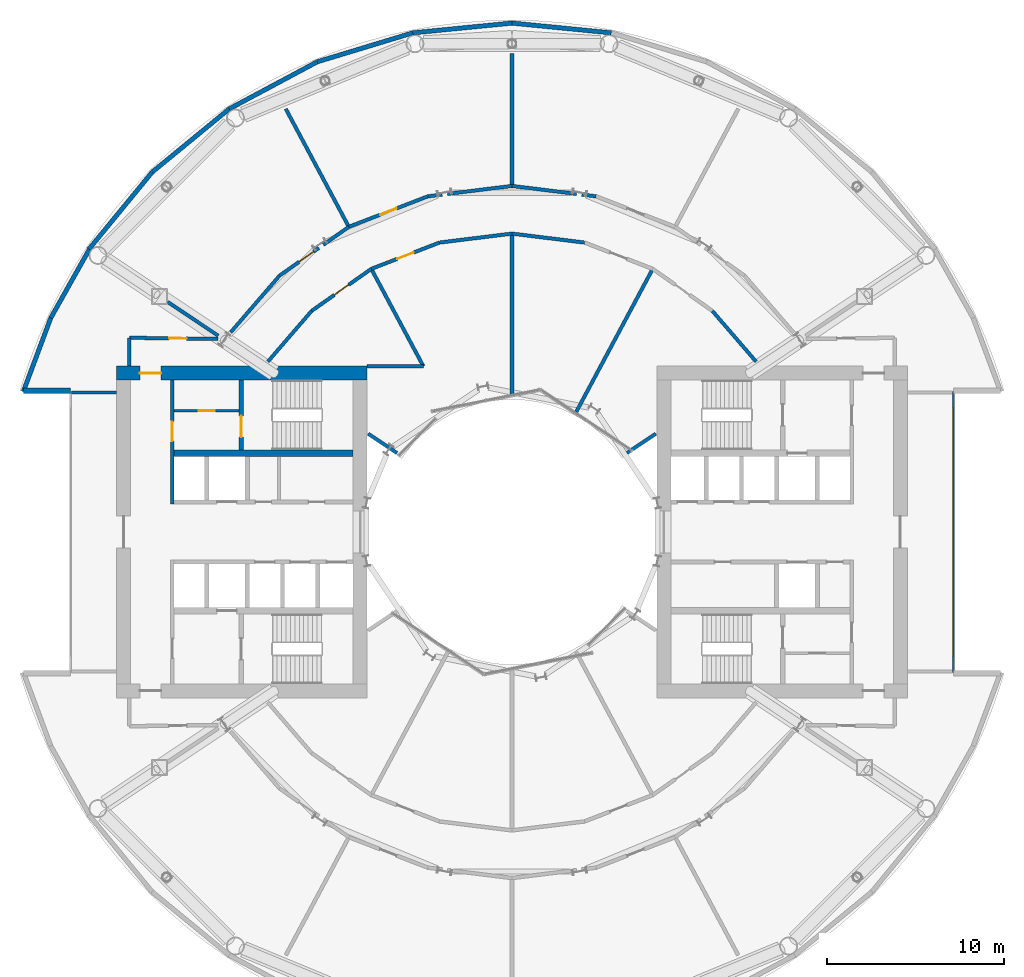
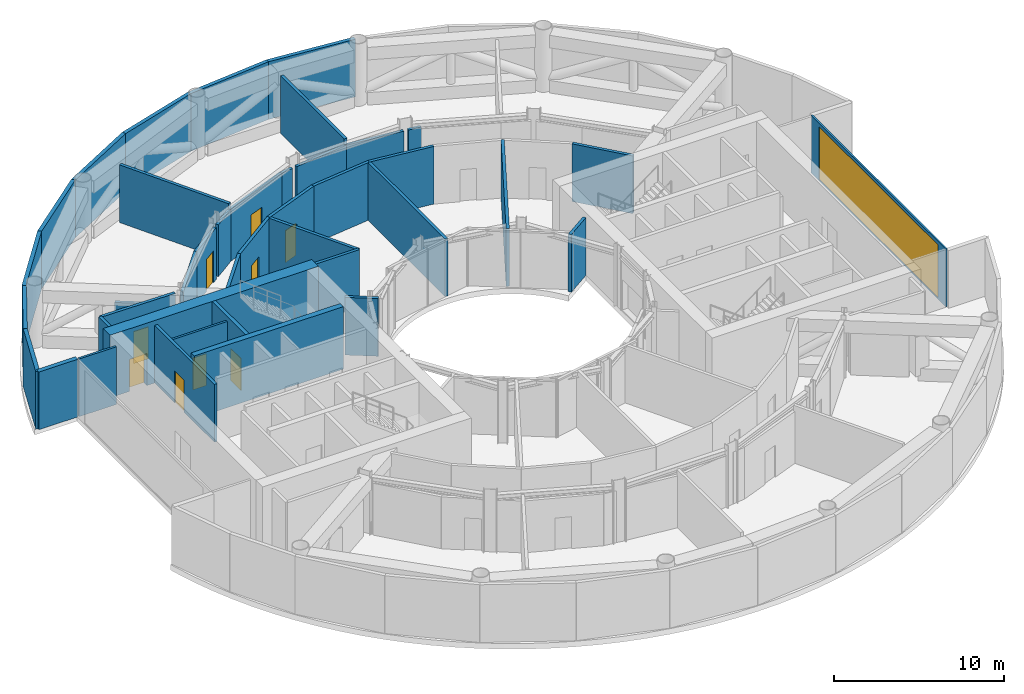
# One storey, part 12 of 15: 41 walls, 9 doors, 1 window, 10 openings.
"""IFC4 building model written with IfcOpenShell, lengths in metres."""

from ifc_helpers import new_model, si_unit, direction, frame, frame_2d, origin, place, context, subcontext, project, spatial, rectangle, extrude, material, layer, layer_set, type_object, element, fill, save


model = new_model("IFC4")

# Units and contexts
model_context = context("Model", 3, precision=1e-05, world=origin(), true_north=direction((0.0, 1.0)))
body_context = subcontext(model_context, "Body", "Model", "MODEL_VIEW")
ifc_project = project(units=[si_unit("LENGTHUNIT", "METRE"), si_unit("AREAUNIT", "SQUARE_METRE"), si_unit("VOLUMEUNIT", "CUBIC_METRE"), si_unit("PLANEANGLEUNIT", "RADIAN"), si_unit("MASSUNIT", "GRAM", prefix="KILO")], contexts=[model_context])

# Site, building, storey
site_placement = place(None, origin())
site = spatial("IfcSite", under=ifc_project, at=site_placement, CompositionType="ELEMENT")
building_placement = place(site_placement, origin())
building = spatial("IfcBuilding", under=site, at=building_placement, Name="Maasbend Ring Residences", CompositionType="ELEMENT")
storey_placement = place(building_placement, frame((0.0, 0.0, 18.300048828125)))
storey = spatial("IfcBuildingStorey", under=building, at=storey_placement, Name="L04", CompositionType="ELEMENT", Elevation=18.300048828125)

# Walls
ifc_material_1 = material(Name="Concrete C30/37", Category="concrete")
ifc_layer_1 = layer(ifc_material_1, 0.199951171875)
ifc_layer_set_1 = layer_set([ifc_layer_1], Name="Concrete C30/37")
wall_type_1 = type_object("IfcWallType", Name="COMPARTMENT WALL 200 CONCRETE", PredefinedType="PARTITIONING", material=ifc_layer_set_1)
wall_1_placement = place(storey_placement, frame((-19.5048828125, 13.032958984375, 0.0), z_axis=(0.0, 0.0, 1.0), x_axis=(0.831331256958, -0.555777240632, 0.0)))
element("IfcWall", 1, at=wall_1_placement, inside=storey, type_object=wall_type_1, Name="U-L04-w027", PredefinedType="PARTITIONING", context=body_context, shape_type="SweptSolid", body=[
    extrude(rectangle(XDim=3.450927734375, YDim=0.199951171875, at=frame_2d((1.7255859375, 0.0))), origin(), (0.0, 0.0, 1.0), 3.22998046875),
])
wall_2_placement = place(storey_placement, frame((-12.81298828125, 23.965087890625, 0.0), z_axis=(0.0, 0.0, 1.0), x_axis=(0.471439510802, -0.881898399848, 0.0)))
element("IfcWall", 2, at=wall_2_placement, inside=storey, type_object=wall_type_1, Name="U-L04-w029", PredefinedType="PARTITIONING", context=body_context, shape_type="SweptSolid", body=[
    extrude(rectangle(XDim=7.57470703125, YDim=0.199951171875, at=frame_2d((3.787353515625, 0.0))), origin(), (0.0, 0.0, 1.0), 4.14990234375),
])
wall_3_placement = place(storey_placement, frame((-7.968994140625, 14.903076171875, 0.0), z_axis=(0.0, 0.0, 1.0), x_axis=(0.471532005808, -0.881848948232, 0.0)))
element("IfcWall", 3, at=wall_3_placement, inside=storey, type_object=wall_type_1, Name="U-L04-w031", PredefinedType="PARTITIONING", context=body_context, shape_type="SweptSolid", body=[
    extrude(rectangle(XDim=6.24169921875, YDim=0.199951171875, at=frame_2d((3.120849609375, 0.0))), origin(), (0.0, 0.0, 1.0), 4.14990234375),
])
wall_4_placement = place(storey_placement, frame((0.0, 7.719970703125, 0.0), z_axis=(0.0, 0.0, 1.0), x_axis=(0.0, 1.0, 0.0)))
element("IfcWall", 4, at=wall_4_placement, inside=storey, type_object=wall_type_1, Name="U-L04-w035", PredefinedType="PARTITIONING", context=body_context, shape_type="SweptSolid", body=[
    extrude(rectangle(XDim=9.179931640625, YDim=0.199951171875, at=frame_2d((4.58984375, 0.0))), origin(), (0.0, 0.0, 1.0), 4.14990234375),
])
wall_5_placement = place(storey_placement, frame((0.0, 19.60009765625, 0.0), z_axis=(0.0, 0.0, 1.0), x_axis=(0.0, 1.0, 0.0)))
element("IfcWall", 5, at=wall_5_placement, inside=storey, type_object=wall_type_1, Name="U-L04-w036", PredefinedType="PARTITIONING", context=body_context, shape_type="SweptSolid", body=[
    extrude(rectangle(XDim=7.5078125, YDim=0.199951171875, at=frame_2d((3.75390625, 0.0))), origin(), (0.0, 0.0, 1.0), 4.14990234375),
])
wall_6_placement = place(storey_placement, frame((3.64111328125, 6.806884765625, 0.0), z_axis=(0.0, 0.0, 1.0), x_axis=(0.471428625665, 0.881904218667, 0.0)))
element("IfcWall", 6, at=wall_6_placement, inside=storey, type_object=wall_type_1, Name="U-L04-w038", PredefinedType="PARTITIONING", context=body_context, shape_type="SweptSolid", body=[
    extrude(rectangle(XDim=9.180419921875, YDim=0.199951171875, at=frame_2d((4.59033203125, 0.0))), origin(), (0.0, 0.0, 1.0), 4.14990234375),
])
wall_7_placement = place(storey_placement, frame((-8.199951171875, 9.39990234375, 0.0), z_axis=(0.0, 0.0, 1.0), x_axis=(1.0, 0.0, 0.0)))
element("IfcWall", 7, at=wall_7_placement, inside=storey, type_object=wall_type_1, Name="U-L04-w045", PredefinedType="PARTITIONING", context=body_context, shape_type="SweptSolid", body=[
    extrude(rectangle(XDim=3.175048828125, YDim=0.199951171875, at=frame_2d((1.58740234375, 0.0))), origin(), (0.0, 0.0, 1.0), 4.14990234375),
])

# Wall, opening, door
wall_8_placement = place(storey_placement, frame((-21.675048828125, 11.0, 0.0), z_axis=(0.0, 0.0, 1.0), x_axis=(0.999924074118, -0.012322580895, 0.0)))
wall_8 = element("IfcWall", 8, at=wall_8_placement, inside=storey, type_object=wall_type_1, Name="U-L04-w046", PredefinedType="PARTITIONING", context=body_context, shape_type="SweptSolid", body=[
    extrude(rectangle(XDim=5.032470703125, YDim=0.199951171875, at=frame_2d((2.51611328125, 0.0))), origin(), (0.0, 0.0, 1.0), 4.14990234375),
])
opening_1_placement = place(wall_8_placement, frame((2.25, 0.0, 0.0)))
opening_1 = element("IfcOpeningElement", 9, at=opening_1_placement, cuts=wall_8, Name="Opening D-0418", PredefinedType="OPENING", context=body_context, shape_type="SweptSolid", body=[
    extrude(rectangle(XDim=1.0, YDim=2.300048828125, at=frame_2d((0.5, 1.14990234375))), frame((0.0, 0.10986328125, 0.0), z_axis=(0.0, -1.0, 0.0), x_axis=(1.0, 0.0, 0.0)), (0.0, 0.0, 1.0), 0.219970703125),
])
ifc_material_2 = material(Name="Steel, fire-rated, painted", Category="steel")
door_type_1 = type_object("IfcDoorType", Name="PLANT DOOR 1000 X 2300 FIRE-RATED", OperationType="NOTDEFINED", PredefinedType="DOOR", material=ifc_material_2)
door_1_placement = place(opening_1_placement, origin())
door_1 = element("IfcDoor", 10, at=door_1_placement, inside=storey, type_object=door_type_1, Name="D-0418", OperationType="SINGLE_SWING_RIGHT", OverallHeight=2.300048828125, OverallWidth=1.0, PredefinedType="DOOR", context=body_context, shape_type="SweptSolid", body=[
    extrude(rectangle(XDim=1.0, YDim=2.300048828125, at=frame_2d((0.5, 1.14990234375))), frame((0.0, 0.02490234375, 0.0), z_axis=(0.0, -1.0, 0.0), x_axis=(1.0, 0.0, 0.0)), (0.0, 0.0, 1.0), 0.050048828125),
])
fill(opening_1, door_1)

# Wall
wall_9_placement = place(storey_placement, frame((-13.826904296875, 9.64990234375, 0.0), z_axis=(0.0, 0.0, 1.0), x_axis=(0.653220956969, 0.757167340406, 0.0)))
element("IfcWall", 11, at=wall_9_placement, inside=storey, type_object=wall_type_1, Name="U-L04-w048", PredefinedType="PARTITIONING", context=body_context, shape_type="SweptSolid", body=[
    extrude(rectangle(XDim=3.793212890625, YDim=0.199951171875, at=frame_2d((1.896484375, 0.0))), origin(), (0.0, 0.0, 1.0), 4.14990234375),
])

# Wall, opening, door
wall_10_placement = place(storey_placement, frame((-11.34912109375, 12.52197265625, 0.0), z_axis=(0.0, 0.0, 1.0), x_axis=(0.817567680547, 0.575832517079, 0.0)))
wall_10 = element("IfcWall", 12, at=wall_10_placement, inside=storey, type_object=wall_type_1, Name="U-L04-w049", PredefinedType="PARTITIONING", context=body_context, shape_type="SweptSolid", body=[
    extrude(rectangle(XDim=4.13671875, YDim=0.199951171875, at=frame_2d((2.068359375, 0.0))), origin(), (0.0, 0.0, 1.0), 4.14990234375),
])
opening_2_placement = place(wall_10_placement, frame((1.568115234375, 0.0, 0.0)))
opening_2 = element("IfcOpeningElement", 13, at=opening_2_placement, cuts=wall_10, Name="Opening D-0408", PredefinedType="OPENING", context=body_context, shape_type="SweptSolid", body=[
    extrude(rectangle(XDim=1.0, YDim=2.300048828125, at=frame_2d((0.5, 1.14990234375))), frame((0.0, 0.10986328125, 0.0), z_axis=(0.0, -1.0, 0.0), x_axis=(1.0, 0.0, 0.0)), (0.0, 0.0, 1.0), 0.219970703125),
])
door_2_placement = place(opening_2_placement, origin())
door_2 = element("IfcDoor", 14, at=door_2_placement, inside=storey, type_object=door_type_1, Name="D-0408", OperationType="SINGLE_SWING_RIGHT", OverallHeight=2.300048828125, OverallWidth=1.0, PredefinedType="DOOR", context=body_context, shape_type="SweptSolid", body=[
    extrude(rectangle(XDim=1.0, YDim=2.300048828125, at=frame_2d((0.5, 1.14990234375))), frame((0.0, 0.02490234375, 0.0), z_axis=(0.0, -1.0, 0.0), x_axis=(1.0, 0.0, 0.0)), (0.0, 0.0, 1.0), 0.050048828125),
])
fill(opening_2, door_2)

wall_11_placement = place(storey_placement, frame((-7.967041015625, 14.904052734375, 0.0), z_axis=(0.0, 0.0, 1.0), x_axis=(0.932943640288, 0.360022449363, 0.0)))
wall_11 = element("IfcWall", 15, at=wall_11_placement, inside=storey, type_object=wall_type_1, Name="U-L04-w050", PredefinedType="PARTITIONING", context=body_context, shape_type="SweptSolid", body=[
    extrude(rectangle(XDim=4.138671875, YDim=0.199951171875, at=frame_2d((2.0693359375, 0.0))), origin(), (0.0, 0.0, 1.0), 4.14990234375),
])
opening_3_placement = place(wall_11_placement, frame((1.569091796875, 0.0, 0.0)))
opening_3 = element("IfcOpeningElement", 16, at=opening_3_placement, cuts=wall_11, Name="Opening D-0407", PredefinedType="OPENING", context=body_context, shape_type="SweptSolid", body=[
    extrude(rectangle(XDim=1.0, YDim=2.300048828125, at=frame_2d((0.5, 1.14990234375))), frame((0.0, 0.10986328125, 0.0), z_axis=(0.0, -1.0, 0.0), x_axis=(1.0, 0.0, 0.0)), (0.0, 0.0, 1.0), 0.219970703125),
])
door_3_placement = place(opening_3_placement, origin())
door_3 = element("IfcDoor", 17, at=door_3_placement, inside=storey, type_object=door_type_1, Name="D-0407", OperationType="SINGLE_SWING_RIGHT", OverallHeight=2.300048828125, OverallWidth=1.0, PredefinedType="DOOR", context=body_context, shape_type="SweptSolid", body=[
    extrude(rectangle(XDim=1.0, YDim=2.300048828125, at=frame_2d((0.5, 1.14990234375))), frame((0.0, 0.02490234375, 0.0), z_axis=(0.0, -1.0, 0.0), x_axis=(1.0, 0.0, 0.0)), (0.0, 0.0, 1.0), 0.050048828125),
])
fill(opening_3, door_3)

# Walls
for number, where, z_axis, x_axis, name in (
    (18, (-4.10595703125, 16.39404296875, 0.0), (0.0, 0.0, 1.0), (0.992496033272, 0.122276833211, 0.0), "U-L04-w051"),
    (19, (0.0, 16.89990234375, 0.0), (0.0, 0.0, 1.0), (0.992496033272, -0.122276833211, 0.0), "U-L04-w052"),
):
    element("IfcWall", number, at=place(storey_placement, frame(where, z_axis=z_axis, x_axis=x_axis)), inside=storey, type_object=wall_type_1, Name=name, PredefinedType="PARTITIONING", context=body_context, shape_type="SweptSolid", body=[
        extrude(rectangle(XDim=4.136962890625, YDim=0.199951171875, at=frame_2d((2.068359375, 0.0))), origin(), (0.0, 0.0, 1.0), 4.14990234375),
    ])
wall_12_placement = place(storey_placement, frame((11.34912109375, 12.52197265625, 0.0), z_axis=(0.0, 0.0, 1.0), x_axis=(0.653220956969, -0.757167340406, 0.0)))
element("IfcWall", 20, at=wall_12_placement, inside=storey, type_object=wall_type_1, Name="U-L04-w055", PredefinedType="PARTITIONING", context=body_context, shape_type="SweptSolid", body=[
    extrude(rectangle(XDim=3.793212890625, YDim=0.199951171875, at=frame_2d((1.896484375, 0.0))), origin(), (0.0, 0.0, 1.0), 4.14990234375),
])
wall_13_placement = place(storey_placement, frame((-15.93505859375, 11.30908203125, 0.0), z_axis=(0.0, 0.0, 1.0), x_axis=(0.653128497371, 0.757247097005, 0.0)))
element("IfcWall", 21, at=wall_13_placement, inside=storey, type_object=wall_type_1, Name="U-L04-w056", PredefinedType="PARTITIONING", context=body_context, shape_type="SweptSolid", body=[
    extrude(rectangle(XDim=4.244140625, YDim=0.199951171875, at=frame_2d((2.1220703125, 0.0))), origin(), (0.0, 0.0, 1.0), 3.72998046875),
])

# Wall, opening, door
wall_14_placement = place(storey_placement, frame((-13.1630859375, 14.52294921875, 0.0), z_axis=(0.0, 0.0, 1.0), x_axis=(0.817595540973, 0.575792958781, 0.0)))
wall_14 = element("IfcWall", 22, at=wall_14_placement, inside=storey, type_object=wall_type_1, Name="U-L04-w057", PredefinedType="PARTITIONING", context=body_context, shape_type="SweptSolid", body=[
    extrude(rectangle(XDim=2.72509765625, YDim=0.199951171875, at=frame_2d((1.362548828125, 0.0))), origin(), (0.0, 0.0, 1.0), 3.72998046875),
])
opening_4_placement = place(wall_14_placement, frame((1.35009765625, 0.0, 0.0)))
opening_4 = element("IfcOpeningElement", 23, at=opening_4_placement, cuts=wall_14, Name="Opening D-0404", PredefinedType="OPENING", context=body_context, shape_type="SweptSolid", body=[
    extrude(rectangle(XDim=1.0, YDim=2.300048828125, at=frame_2d((0.5, 1.14990234375))), frame((0.0, 0.10986328125, 0.0), z_axis=(0.0, -1.0, 0.0), x_axis=(1.0, 0.0, 0.0)), (0.0, 0.0, 1.0), 0.219970703125),
])
door_4_placement = place(opening_4_placement, origin())
door_4 = element("IfcDoor", 24, at=door_4_placement, inside=storey, type_object=door_type_1, Name="D-0404", OperationType="SINGLE_SWING_RIGHT", OverallHeight=2.300048828125, OverallWidth=1.0, PredefinedType="DOOR", context=body_context, shape_type="SweptSolid", body=[
    extrude(rectangle(XDim=1.0, YDim=2.300048828125, at=frame_2d((0.5, 1.14990234375))), frame((0.0, 0.02490234375, 0.0), z_axis=(0.0, -1.0, 0.0), x_axis=(1.0, 0.0, 0.0)), (0.0, 0.0, 1.0), 0.050048828125),
])
fill(opening_4, door_4)

# Wall
wall_15_placement = place(storey_placement, frame((-10.68701171875, 16.26708984375, 0.0), z_axis=(0.0, 0.0, 1.0), x_axis=(0.817849682833, 0.575431921508, 0.0)))
element("IfcWall", 25, at=wall_15_placement, inside=storey, type_object=wall_type_1, Name="U-L04-w058", PredefinedType="PARTITIONING", context=body_context, shape_type="SweptSolid", body=[
    extrude(rectangle(XDim=1.7705078125, YDim=0.199951171875, at=frame_2d((0.88525390625, 0.0))), origin(), (0.0, 0.0, 1.0), 3.72998046875),
])

# Wall, opening, door
wall_16_placement = place(storey_placement, frame((-9.239013671875, 17.285888671875, 0.0), z_axis=(0.0, 0.0, 1.0), x_axis=(0.932988479706, 0.359906233255, 0.0)))
wall_16 = element("IfcWall", 26, at=wall_16_placement, inside=storey, type_object=wall_type_1, Name="U-L04-w059", PredefinedType="PARTITIONING", context=body_context, shape_type="SweptSolid", body=[
    extrude(rectangle(XDim=4.798583984375, YDim=0.199951171875, at=frame_2d((2.3994140625, 0.0))), origin(), (0.0, 0.0, 1.0), 3.72998046875),
])
opening_5_placement = place(wall_16_placement, frame((1.89892578125, 0.0, 0.0)))
opening_5 = element("IfcOpeningElement", 27, at=opening_5_placement, cuts=wall_16, Name="Opening D-0403", PredefinedType="OPENING", context=body_context, shape_type="SweptSolid", body=[
    extrude(rectangle(XDim=1.0, YDim=2.300048828125, at=frame_2d((0.5, 1.14990234375))), frame((0.0, 0.10986328125, 0.0), z_axis=(0.0, -1.0, 0.0), x_axis=(1.0, 0.0, 0.0)), (0.0, 0.0, 1.0), 0.219970703125),
])
door_5_placement = place(opening_5_placement, origin())
door_5 = element("IfcDoor", 28, at=door_5_placement, inside=storey, type_object=door_type_1, Name="D-0403", OperationType="SINGLE_SWING_LEFT", OverallHeight=2.300048828125, OverallWidth=1.0, PredefinedType="DOOR", context=body_context, shape_type="SweptSolid", body=[
    extrude(rectangle(XDim=1.0, YDim=2.300048828125, at=frame_2d((0.5, 1.14990234375))), frame((0.0, 0.02490234375, 0.0), z_axis=(0.0, -1.0, 0.0), x_axis=(1.0, 0.0, 0.0)), (0.0, 0.0, 1.0), 0.050048828125),
])
fill(opening_5, door_5)

# Walls
wall_17_placement = place(storey_placement, frame((-4.761962890625, 19.012939453125, 0.0), z_axis=(0.0, 0.0, 1.0), x_axis=(0.992521102393, 0.122073180119, 0.0)))
element("IfcWall", 29, at=wall_17_placement, inside=storey, type_object=wall_type_1, Name="U-L04-w060", PredefinedType="PARTITIONING", context=body_context, shape_type="SweptSolid", body=[
    extrude(rectangle(XDim=0.81201171875, YDim=0.199951171875, at=frame_2d((0.406005859375, 0.0))), origin(), (0.0, 0.0, 1.0), 3.72998046875),
])
for number, where, z_axis, x_axis, name in (
    (30, (-3.655029296875, 19.14990234375, 0.0), (0.0, 0.0, 1.0), (0.992499630302, 0.12224763331, 0.0), "U-L04-w061"),
    (31, (0.0, 19.60009765625, 0.0), (0.0, 0.0, 1.0), (0.992499630302, -0.12224763331, 0.0), "U-L04-w062"),
):
    element("IfcWall", number, at=place(storey_placement, frame(where, z_axis=z_axis, x_axis=x_axis)), inside=storey, type_object=wall_type_1, Name=name, PredefinedType="PARTITIONING", context=body_context, shape_type="SweptSolid", body=[
        extrude(rectangle(XDim=3.6826171875, YDim=0.199951171875, at=frame_2d((1.84130859375, 0.0))), origin(), (0.0, 0.0, 1.0), 3.72998046875),
    ])
wall_18_placement = place(storey_placement, frame((3.9560546875, 19.112060546875, 0.0), z_axis=(0.0, 0.0, 1.0), x_axis=(0.992521102393, -0.122073180119, 0.0)))
element("IfcWall", 32, at=wall_18_placement, inside=storey, type_object=wall_type_1, Name="U-L04-w063", PredefinedType="PARTITIONING", context=body_context, shape_type="SweptSolid", body=[
    extrude(rectangle(XDim=0.81201171875, YDim=0.199951171875, at=frame_2d((0.406005859375, 0.0))), origin(), (0.0, 0.0, 1.0), 3.72998046875),
])
wall_19_placement = place(storey_placement, frame((-21.675048828125, 9.39990234375, 0.0), z_axis=(0.0, 0.0, 1.0), x_axis=(0.0, 1.0, 0.0)))
element("IfcWall", 33, at=wall_19_placement, inside=storey, type_object=wall_type_1, Name="U-L04-w069", PredefinedType="PARTITIONING", context=body_context, shape_type="SweptSolid", body=[
    extrude(rectangle(XDim=1.60009765625, YDim=0.199951171875, at=frame_2d((0.800048828125, 0.0))), origin(), (0.0, 0.0, 1.0), 4.14990234375),
])

# Wall, opening, door
ifc_material_3 = material(Name="Concrete C70/85", Category="concrete")
ifc_layer_2 = layer(ifc_material_3, 0.25)
ifc_layer_set_2 = layer_set([ifc_layer_2], Name="Concrete C70/85")
wall_type_2 = type_object("IfcWallType", Name="CORE WALL 250 C70/85", PredefinedType="SHEAR", material=ifc_layer_set_2)
wall_20_placement = place(storey_placement, frame((-15.324951171875, 8.60009765625, 0.0), z_axis=(0.0, 0.0, 1.0), x_axis=(0.0, -1.0, 0.0)))
wall_20 = element("IfcWall", 34, at=wall_20_placement, inside=storey, type_object=wall_type_2, Name="L04 core W wall STES", PredefinedType="SHEAR", context=body_context, shape_type="SweptSolid", body=[
    extrude(rectangle(XDim=3.9501953125, YDim=0.25, at=frame_2d((1.97509765625, 0.0))), origin(), (0.0, 0.0, 1.0), 4.5),
])
opening_6_placement = place(wall_20_placement, frame((2.02490234375, 0.0, 0.0)))
opening_6 = element("IfcOpeningElement", 35, at=opening_6_placement, cuts=wall_20, Name="Opening D-W0410", PredefinedType="OPENING", context=body_context, shape_type="SweptSolid", body=[
    extrude(rectangle(XDim=1.199951171875, YDim=2.300048828125, at=frame_2d((0.60009765625, 1.14990234375))), frame((0.0, 0.135009765625, 0.0), z_axis=(0.0, -1.0, 0.0), x_axis=(1.0, 0.0, 0.0)), (0.0, 0.0, 1.0), 0.27001953125),
])
ifc_material_4 = material(Name="Steel, powder coated", Category="steel")
door_type_2 = type_object("IfcDoorType", Name="STAIR DOOR 1200 X 2300 FD60", OperationType="NOTDEFINED", PredefinedType="DOOR", material=ifc_material_4)
door_6_placement = place(opening_6_placement, origin())
door_6 = element("IfcDoor", 36, at=door_6_placement, inside=storey, type_object=door_type_2, Name="Stair door ST-W L04", OperationType="SINGLE_SWING_LEFT", OverallHeight=2.300048828125, OverallWidth=1.199951171875, PredefinedType="DOOR", context=body_context, shape_type="SweptSolid", body=[
    extrude(rectangle(XDim=1.199951171875, YDim=2.300048828125, at=frame_2d((0.60009765625, 1.14990234375))), frame((0.0, 0.02490234375, 0.0), z_axis=(0.0, -1.0, 0.0), x_axis=(1.0, 0.0, 0.0)), (0.0, 0.0, 1.0), 0.050048828125),
])
fill(opening_6, door_6)

# Wall
ifc_material_5 = material(Name="Concrete C70/85", Category="concrete")
ifc_layer_3 = layer(ifc_material_5, 0.375)
ifc_layer_set_3 = layer_set([ifc_layer_3], Name="Concrete C70/85")
wall_type_3 = type_object("IfcWallType", Name="CORE WALL 375 C70/85", PredefinedType="SHEAR", material=ifc_layer_set_3)
wall_21_placement = place(storey_placement, frame((-9.0, 4.46240234375, 0.0), z_axis=(0.0, 0.0, 1.0), x_axis=(-1.0, 0.0, 0.0)))
element("IfcWall", 37, at=wall_21_placement, inside=storey, type_object=wall_type_3, Name="L04 core W wall BS", PredefinedType="SHEAR", context=body_context, shape_type="SweptSolid", body=[
    extrude(rectangle(XDim=10.14990234375, YDim=0.375, at=frame_2d((5.074951171875, 0.0))), origin(), (0.0, 0.0, 1.0), 4.5),
])

# Wall, opening, door
ifc_material_6 = material(Name="Concrete C70/85", Category="concrete")
ifc_layer_4 = layer(ifc_material_6, 0.800048828125)
ifc_layer_set_4 = layer_set([ifc_layer_4], Name="Concrete C70/85")
wall_type_4 = type_object("IfcWallType", Name="CORE WALL 800 C70/85", PredefinedType="SHEAR", material=ifc_layer_set_4)
wall_22_placement = place(storey_placement, frame((-8.199951171875, 9.0, 0.0), z_axis=(0.0, 0.0, 1.0), x_axis=(-1.0, 0.0, 0.0)))
wall_22 = element("IfcWall", 38, at=wall_22_placement, inside=storey, type_object=wall_type_4, Name="L04 core W wall PS", PredefinedType="SHEAR", context=body_context, shape_type="SweptSolid", body=[
    extrude(rectangle(XDim=14.199951171875, YDim=0.800048828125, at=frame_2d((7.10009765625, 0.0))), origin(), (0.0, 0.0, 1.0), 4.5),
])
opening_7_placement = place(wall_22_placement, frame((11.675048828125, 0.0, 0.0)))
opening_7 = element("IfcOpeningElement", 39, at=opening_7_placement, cuts=wall_22, Name="Opening D-W0414", PredefinedType="OPENING", context=body_context, shape_type="SweptSolid", body=[
    extrude(rectangle(XDim=1.199951171875, YDim=2.300048828125, at=frame_2d((0.60009765625, 1.14990234375))), frame((0.0, 0.41015625, 0.0), z_axis=(0.0, -1.0, 0.0), x_axis=(1.0, 0.0, 0.0)), (0.0, 0.0, 1.0), 0.820068359375),
])
ifc_material_7 = material(Name="Steel, powder coated", Category="steel")
door_type_3 = type_object("IfcDoorType", Name="CORRIDOR DOOR 1200 X 2300 FD30S", OperationType="NOTDEFINED", PredefinedType="DOOR", material=ifc_material_7)
door_7_placement = place(opening_7_placement, origin())
door_7 = element("IfcDoor", 40, at=door_7_placement, inside=storey, type_object=door_type_3, Name="Corridor door L04", OperationType="SINGLE_SWING_LEFT", OverallHeight=2.300048828125, OverallWidth=1.199951171875, PredefinedType="DOOR", context=body_context, shape_type="SweptSolid", body=[
    extrude(rectangle(XDim=1.199951171875, YDim=2.300048828125, at=frame_2d((0.60009765625, 1.14990234375))), frame((0.0, 0.02490234375, 0.0), z_axis=(0.0, -1.0, 0.0), x_axis=(1.0, 0.0, 0.0)), (0.0, 0.0, 1.0), 0.050048828125),
])
fill(opening_7, door_7)

# Walls
ifc_material_8 = material(Name="Louvred aluminium panel", Category="aluminium")
ifc_layer_5 = layer(ifc_material_8, 0.25)
ifc_layer_set_5 = layer_set([ifc_layer_5], Name="EW-LV")
wall_type_5 = type_object("IfcWallType", Name="EW-LV", PredefinedType="SOLIDWALL", material=ifc_layer_set_5)
for number, where, z_axis, x_axis, name in (
    (41, (5.623046875, 28.27099609375, 0.0), (0.0, 0.0, 1.0), (-0.995182425127, 0.098040505497, 0.0), "External wall N05"),
    (42, (0.0, 28.824951171875, 0.0), (0.0, 0.0, 1.0), (-0.995182425127, -0.098040505497, 0.0), "External wall N06"),
):
    element("IfcWall", number, at=place(storey_placement, frame(where, z_axis=z_axis, x_axis=x_axis)), inside=storey, type_object=wall_type_5, Name=name, PredefinedType="SOLIDWALL", context=body_context, shape_type="SweptSolid", body=[
        extrude(rectangle(XDim=5.650146484375, YDim=0.25, at=frame_2d((2.8251953125, 0.0))), origin(), (0.0, 0.0, 1.0), 4.14990234375),
    ])
wall_23_placement = place(storey_placement, frame((-5.623046875, 28.27099609375, 0.0), z_axis=(0.0, 0.0, 1.0), x_axis=(-0.956969521741, -0.29018844646, 0.0)))
element("IfcWall", 43, at=wall_23_placement, inside=storey, type_object=wall_type_5, Name="External wall N07", PredefinedType="SOLIDWALL", context=body_context, shape_type="SweptSolid", body=[
    extrude(rectangle(XDim=5.651123046875, YDim=0.25, at=frame_2d((2.82568359375, 0.0))), origin(), (0.0, 0.0, 1.0), 4.14990234375),
])
wall_24_placement = place(storey_placement, frame((-11.031005859375, 26.631103515625, 0.0), z_axis=(0.0, 0.0, 1.0), x_axis=(-0.881874058161, -0.471485042756, 0.0)))
element("IfcWall", 44, at=wall_24_placement, inside=storey, type_object=wall_type_5, Name="External wall N08", PredefinedType="SOLIDWALL", context=body_context, shape_type="SweptSolid", body=[
    extrude(rectangle(XDim=5.650390625, YDim=0.25, at=frame_2d((2.8251953125, 0.0))), origin(), (0.0, 0.0, 1.0), 4.14990234375),
])
for number, where, z_axis, x_axis, name in (
    (45, (-16.013916015625, 23.967041015625, 0.0), (0.0, 0.0, 1.0), (-0.773001659186, -0.634403999748, 0.0), "External wall N09"),
    (46, (-20.382080078125, 20.382080078125, 0.0), (0.0, 0.0, 1.0), (-0.634403999748, -0.773001659186, 0.0), "External wall N10"),
):
    element("IfcWall", number, at=place(storey_placement, frame(where, z_axis=z_axis, x_axis=x_axis)), inside=storey, type_object=wall_type_5, Name=name, PredefinedType="SOLIDWALL", context=body_context, shape_type="SweptSolid", body=[
        extrude(rectangle(XDim=5.65087890625, YDim=0.25, at=frame_2d((2.825439453125, 0.0))), origin(), (0.0, 0.0, 1.0), 4.14990234375),
    ])
wall_25_placement = place(storey_placement, frame((-23.946044921875, 16.0, 0.0), z_axis=(0.0, 0.0, 1.0), x_axis=(-0.489696356642, -0.871893042919, 0.0)))
element("IfcWall", 47, at=wall_25_placement, inside=storey, type_object=wall_type_5, Name="Horn wall 4.1", PredefinedType="SOLIDWALL", context=body_context, shape_type="SweptSolid", body=[
    extrude(rectangle(XDim=4.45361328125, YDim=0.25, at=frame_2d((2.226806640625, 0.0))), origin(), (0.0, 0.0, 1.0), 4.14990234375),
])
wall_26_placement = place(storey_placement, frame((-26.126953125, 12.116943359375, 0.0), z_axis=(0.0, 0.0, 1.0), x_axis=(-0.349247811493, -0.937030397675, 0.0)))
element("IfcWall", 48, at=wall_26_placement, inside=storey, type_object=wall_type_5, Name="Horn wall 4.2", PredefinedType="SOLIDWALL", context=body_context, shape_type="SweptSolid", body=[
    extrude(rectangle(XDim=4.4521484375, YDim=0.25, at=frame_2d((2.22607421875, 0.0))), origin(), (0.0, 0.0, 1.0), 4.14990234375),
])
ifc_material_9 = material(Name="Aluminium clad insulated panel", Category="aluminium")
ifc_layer_6 = layer(ifc_material_9, 0.300048828125)
ifc_layer_set_6 = layer_set([ifc_layer_6], Name="EW-RET")
wall_type_6 = type_object("IfcWallType", Name="EW-RET", PredefinedType="SOLIDWALL", material=ifc_layer_set_6)
wall_27_placement = place(storey_placement, frame((-25.0, 8.0, 0.0), z_axis=(0.0, 0.0, 1.0), x_axis=(-1.0, 0.0, 0.0)))
element("IfcWall", 49, at=wall_27_placement, inside=storey, type_object=wall_type_6, Name="Notch return wall west north", PredefinedType="SOLIDWALL", context=body_context, shape_type="SweptSolid", body=[
    extrude(rectangle(XDim=2.6669921875, YDim=0.300048828125, at=frame_2d((1.33349609375, 0.0))), origin(), (0.0, 0.0, 1.0), 4.14990234375),
])

# Wall, opening, window
ifc_material_10 = material(Name="Aluminium frame and clear glass", Category="aluminium")
ifc_layer_7 = layer(ifc_material_10, 0.1201171875)
ifc_layer_set_7 = layer_set([ifc_layer_7], Name="GLAZED SCREEN WALL 120 EI 60")
wall_type_7 = type_object("IfcWallType", Name="GLAZED SCREEN WALL 120 EI 60", PredefinedType="PARTITIONING", material=ifc_layer_set_7)
wall_28_placement = place(storey_placement, frame((25.0, -7.949951171875, 0.0), z_axis=(0.0, 0.0, 1.0), x_axis=(0.0, 1.0, 0.0)))
wall_28 = element("IfcWall", 50, at=wall_28_placement, inside=storey, type_object=wall_type_7, Name="L04 core E wall FACE", PredefinedType="PARTITIONING", context=body_context, shape_type="SweptSolid", body=[
    extrude(rectangle(XDim=15.89990234375, YDim=0.1201171875, at=frame_2d((7.949951171875, 0.0))), origin(), (0.0, 0.0, 1.0), 4.14990234375),
])
opening_8_placement = place(wall_28_placement, frame((0.949951171875, 0.0, 0.10009765625)))
opening_8 = element("IfcOpeningElement", 51, at=opening_8_placement, cuts=wall_28, Name="Opening W-E0402", PredefinedType="OPENING", context=body_context, shape_type="SweptSolid", body=[
    extrude(rectangle(XDim=14.0, YDim=3.800048828125, at=frame_2d((7.0, 1.89990234375))), frame((0.0, 0.070068359375, 0.0), z_axis=(0.0, -1.0, 0.0), x_axis=(1.0, 0.0, 0.0)), (0.0, 0.0, 1.0), 0.14013671875),
])
ifc_material_11 = material(Name="Aluminium frame and clear glass", Category="aluminium")
window_type = type_object("IfcWindowType", Name="FIXED WINDOW 14000 X 3800", PartitioningType="SINGLE_PANEL", PredefinedType="WINDOW", material=ifc_material_11)
window_placement = place(opening_8_placement, origin())
window = element("IfcWindow", 52, at=window_placement, inside=storey, type_object=window_type, Name="Lobby window L04", OverallHeight=3.800048828125, OverallWidth=14.0, PartitioningType="SINGLE_PANEL", PredefinedType="WINDOW", context=body_context, shape_type="SweptSolid", body=[
    extrude(rectangle(XDim=14.0, YDim=3.800048828125, at=frame_2d((7.0, 1.89990234375))), frame((0.0, 0.030029296875, 0.0), z_axis=(0.0, -1.0, 0.0), x_axis=(1.0, 0.0, 0.0)), (0.0, 0.0, 1.0), 0.06005859375),
])
fill(opening_8, window)

# Wall, opening, door
ifc_material_12 = material(Name="Gypsum board on steel studs", Category="steel")
ifc_layer_8 = layer(ifc_material_12, 0.14990234375)
ifc_layer_set_8 = layer_set([ifc_layer_8], Name="PARTITION 150 EI 60")
wall_type_8 = type_object("IfcWallType", Name="PARTITION 150 EI 60", PredefinedType="PARTITIONING", material=ifc_layer_set_8)
wall_29_placement = place(storey_placement, frame((-15.449951171875, 6.875, 0.0), z_axis=(0.0, 0.0, 1.0), x_axis=(-1.0, 0.0, 0.0)))
wall_29 = element("IfcWall", 53, at=wall_29_placement, inside=storey, type_object=wall_type_8, Name="L04 core W wall RHS", PredefinedType="PARTITIONING", context=body_context, shape_type="SweptSolid", body=[
    extrude(rectangle(XDim=3.699951171875, YDim=0.14990234375, at=frame_2d((1.85009765625, 0.0))), origin(), (0.0, 0.0, 1.0), 4.14990234375),
])
opening_9_placement = place(wall_29_placement, frame((1.39990234375, 0.0, 0.0)))
opening_9 = element("IfcOpeningElement", 54, at=opening_9_placement, cuts=wall_29, Name="Opening D-W0408", PredefinedType="OPENING", context=body_context, shape_type="SweptSolid", body=[
    extrude(rectangle(XDim=0.89990234375, YDim=2.300048828125, at=frame_2d((0.449951171875, 1.14990234375))), frame((0.0, 0.0849609375, 0.0), z_axis=(0.0, -1.0, 0.0), x_axis=(1.0, 0.0, 0.0)), (0.0, 0.0, 1.0), 0.169921875),
])
ifc_material_13 = material(Name="Steel, powder coated", Category="steel")
door_type_4 = type_object("IfcDoorType", Name="RISER DOOR 900 X 2300 FD60", OperationType="NOTDEFINED", PredefinedType="DOOR", material=ifc_material_13)
door_8_placement = place(opening_9_placement, origin())
door_8 = element("IfcDoor", 55, at=door_8_placement, inside=storey, type_object=door_type_4, Name="Riser door L04", OperationType="SINGLE_SWING_LEFT", OverallHeight=2.300048828125, OverallWidth=0.89990234375, PredefinedType="DOOR", context=body_context, shape_type="SweptSolid", body=[
    extrude(rectangle(XDim=0.89990234375, YDim=2.300048828125, at=frame_2d((0.449951171875, 1.14990234375))), frame((0.0, 0.02490234375, 0.0), z_axis=(0.0, -1.0, 0.0), x_axis=(1.0, 0.0, 0.0)), (0.0, 0.0, 1.0), 0.050048828125),
])
fill(opening_9, door_8)

# Walls
wall_30_placement = place(storey_placement, frame((-22.39990234375, 7.89990234375, 0.0), z_axis=(0.0, 0.0, 1.0), x_axis=(-1.0, 0.0, 0.0)))
element("IfcWall", 56, at=wall_30_placement, inside=storey, type_object=wall_type_8, Name="L04 core W wall CITS", PredefinedType="PARTITIONING", context=body_context, shape_type="SweptSolid", body=[
    extrude(rectangle(XDim=2.5400390625, YDim=0.14990234375, at=frame_2d((1.27001953125, 0.0))), origin(), (0.0, 0.0, 1.0), 4.14990234375),
])
ifc_material_14 = material(Name="Concrete C30/37", Category="concrete")
ifc_layer_9 = layer(ifc_material_14, 0.199951171875)
ifc_layer_set_9 = layer_set([ifc_layer_9], Name="Concrete C30/37")
wall_type_9 = type_object("IfcWallType", Name="PARTY WALL 200 CONCRETE", PredefinedType="PARTITIONING", material=ifc_layer_set_9)
for number, where, z_axis, x_axis, name in (
    (57, (-6.512939453125, 4.471923828125, 0.0), (0.0, 0.0, 1.0), (-0.831417956244, 0.555647533996, 0.0), "U-L04-w043"),
    (58, (6.512939453125, 4.471923828125, 0.0), (0.0, 0.0, 1.0), (0.831417956244, 0.555647533996, 0.0), "U-L04-w044"),
):
    element("IfcWall", number, at=place(storey_placement, frame(where, z_axis=z_axis, x_axis=x_axis)), inside=storey, type_object=wall_type_9, Name=name, PredefinedType="PARTITIONING", context=body_context, shape_type="SweptSolid", body=[
        extrude(rectangle(XDim=1.9619140625, YDim=0.199951171875, at=frame_2d((0.98095703125, 0.0))), origin(), (0.0, 0.0, 1.0), 4.14990234375),
    ])

# Wall, opening, door
ifc_material_15 = material(Name="Concrete C30/37", Category="concrete")
ifc_layer_10 = layer(ifc_material_15, 0.199951171875)
ifc_layer_set_10 = layer_set([ifc_layer_10], Name="Concrete C30/37")
wall_type_10 = type_object("IfcWallType", Name="SHAFT WALL 200 EI 120", PredefinedType="SOLIDWALL", material=ifc_layer_set_10)
wall_31_placement = place(storey_placement, frame((-19.25, 8.60009765625, 0.0), z_axis=(0.0, 0.0, 1.0), x_axis=(0.0, -1.0, 0.0)))
wall_31 = element("IfcWall", 59, at=wall_31_placement, inside=storey, type_object=wall_type_10, Name="L04 core W wall ENDS", PredefinedType="SOLIDWALL", context=body_context, shape_type="SweptSolid", body=[
    extrude(rectangle(XDim=7.025146484375, YDim=0.199951171875, at=frame_2d((3.5126953125, 0.0))), origin(), (0.0, 0.0, 1.0), 4.14990234375),
])
opening_10_placement = place(wall_31_placement, frame((2.35009765625, 0.0, 0.0)))
opening_10 = element("IfcOpeningElement", 60, at=opening_10_placement, cuts=wall_31, Name="Opening D-W0412", PredefinedType="OPENING", context=body_context, shape_type="SweptSolid", body=[
    extrude(rectangle(XDim=1.10009765625, YDim=2.300048828125, at=frame_2d((0.550048828125, 1.14990234375))), frame((0.0, 0.10986328125, 0.0), z_axis=(0.0, -1.0, 0.0), x_axis=(1.0, 0.0, 0.0)), (0.0, 0.0, 1.0), 0.219970703125),
])
ifc_material_16 = material(Name="Steel, powder coated", Category="steel")
door_type_5 = type_object("IfcDoorType", Name="LOBBY DOOR 1100 X 2300 FD60", OperationType="NOTDEFINED", PredefinedType="DOOR", material=ifc_material_16)
door_9_placement = place(opening_10_placement, origin())
door_9 = element("IfcDoor", 61, at=door_9_placement, inside=storey, type_object=door_type_5, Name="Lobby door L04", OperationType="SINGLE_SWING_RIGHT", OverallHeight=2.300048828125, OverallWidth=1.10009765625, PredefinedType="DOOR", context=body_context, shape_type="SweptSolid", body=[
    extrude(rectangle(XDim=1.10009765625, YDim=2.300048828125, at=frame_2d((0.550048828125, 1.14990234375))), frame((0.0, 0.02490234375, 0.0), z_axis=(0.0, -1.0, 0.0), x_axis=(1.0, 0.0, 0.0)), (0.0, 0.0, 1.0), 0.050048828125),
])
fill(opening_10, door_9)

save(model, "model.ifc")
